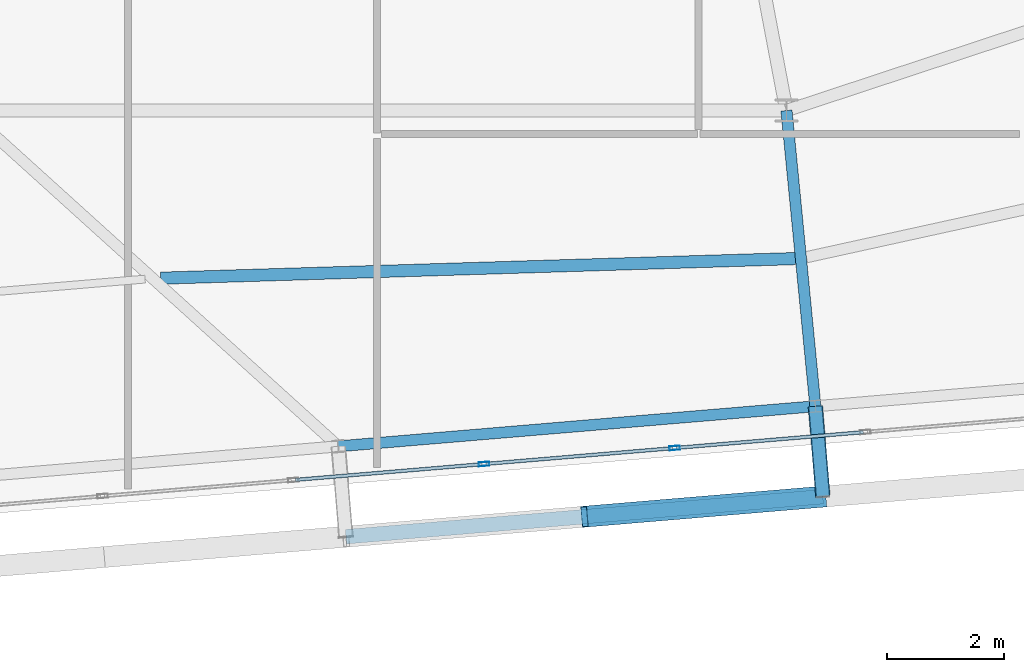
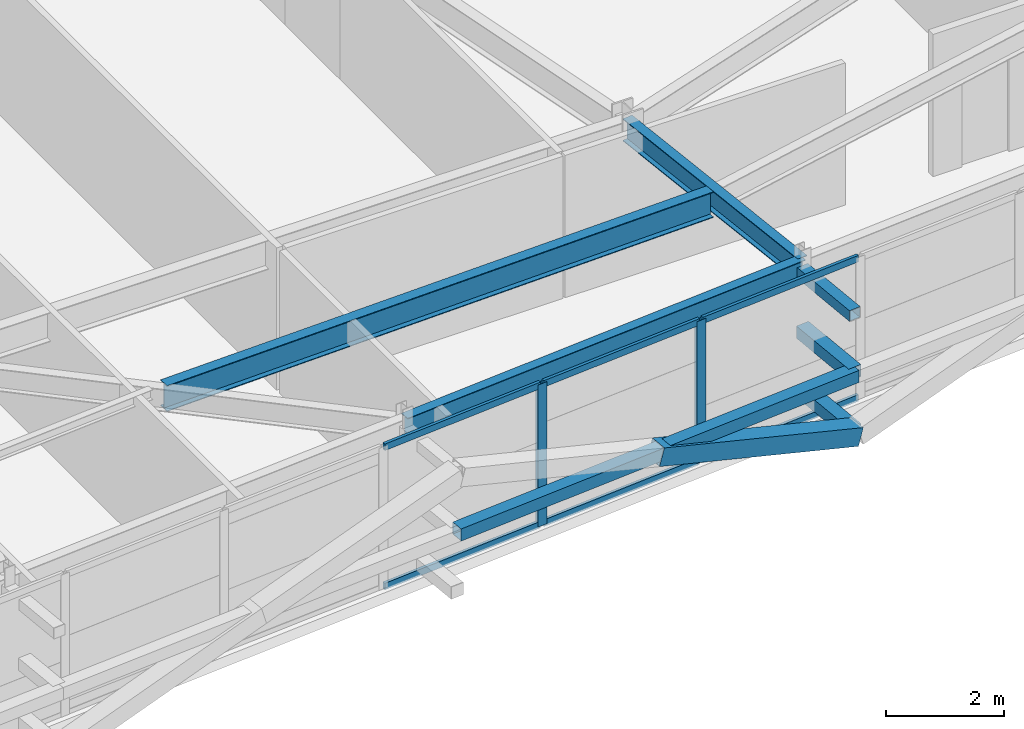
# One storey, part 12 of 46: 13 members, 3 beams, 1 element without a shape of its own.
"""IFC4 building model written with IfcOpenShell, lengths in metres."""

from ifc_helpers import new_model, si_unit, direction, frame, origin, origin_2d, place, context, subcontext, project, spatial, hollow_rectangle, i_section, extrude, source, transform, mapped, material, layer, layer_set, material_profile, profile_set, type_object, element, aggregate, save


model = new_model("IFC4")

# Units and contexts
model_context = context("Model", 3, precision=1e-05, world=origin(), true_north=direction((0.0, 1.0)))
body_context = subcontext(model_context, "Body", "Model", "MODEL_VIEW")
ifc_project = project(units=[si_unit("LENGTHUNIT", "METRE"), si_unit("AREAUNIT", "SQUARE_METRE"), si_unit("VOLUMEUNIT", "CUBIC_METRE"), si_unit("PLANEANGLEUNIT", "RADIAN"), si_unit("MASSUNIT", "GRAM", prefix="KILO")], contexts=[model_context])

# Site, building, storey
site_placement = place(None, origin())
site = spatial("IfcSite", under=ifc_project, at=site_placement, CompositionType="ELEMENT")
building_placement = place(site_placement, origin())
building = spatial("IfcBuilding", under=site, at=building_placement, Name="Taldren Reach Tower", CompositionType="ELEMENT")
storey_placement = place(building_placement, frame((0.0, 0.0, 194.60009765625)))
storey = spatial("IfcBuildingStorey", under=building, at=storey_placement, Name="L59", CompositionType="ELEMENT", Elevation=194.60009765625)

# Members
ifc_material_1 = material(Name="Steel Gr 350 (C350L0)", Category="steel")
ifc_material_profile_1 = material_profile(ifc_material_1, hollow_rectangle(XDim=0.25, YDim=0.25, WallThickness=0.010009765625, at=origin_2d()), Name="250x250x10.0SHS")
ifc_profile_set_1 = profile_set([ifc_material_profile_1], Name="Steel Gr 350 (C350L0)")
member_type_1 = type_object("IfcMemberType", Name="MB-POST250", PredefinedType="POST", material=ifc_profile_set_1)
shared_shape_1 = source(origin(), body_context, "Body", "SweptSolid", [
    extrude(hollow_rectangle(XDim=0.25, YDim=0.25, WallThickness=0.010009765625, at=origin_2d()), origin(), (0.0, 0.0, 1.0), 1.5498046875),
])
for number, where, z_axis, x_axis, name in (
    (1, (42.49365234375, 4.1474609375, 0.219970703125), (0.083645141657, -0.996495604746, 0.0), (0.996495604746, 0.083645141657, 0.0), "Exoskeleton base diaphragm tie strut B4-S4 L59"),
    (2, (42.49365234375, 4.1474609375, 1.434814453125), (0.083645141657, -0.996495604746, 0.0), (0.996495604746, 0.083645141657, 0.0), "Exoskeleton mid-tier diaphragm tie B4-S4 L59"),
):
    element("IfcMember", number, at=place(storey_placement, frame(where, z_axis=z_axis, x_axis=x_axis)), inside=storey, type_object=member_type_1, Name=name, PredefinedType="POST", context=body_context, shape_type="MappedRepresentation", body=[
        mapped(shared_shape_1, transform((0.0, 0.0, 0.0), scale=1.0)),
    ])

# Beams
ifc_material_2 = material(Name="Steel Gr 350 (350PLUS)", Category="steel")
ifc_material_profile_2 = material_profile(ifc_material_2, i_section(OverallWidth=0.18994140625, OverallDepth=0.4541015625, WebThickness=0.008544921875, FlangeThickness=0.0126953125, at=origin_2d()), Name="460UB67.1")
ifc_profile_set_2 = profile_set([ifc_material_profile_2], Name="Steel Gr 350 (350PLUS)")
beam_type_1 = type_object("IfcBeamType", Name="SP-UB460B", PredefinedType="SPANDREL", material=ifc_profile_set_2)
shared_shape_2 = source(origin(), body_context, "Body", "SweptSolid", [
    extrude(i_section(OverallWidth=0.18994140625, OverallDepth=0.4541015625, WebThickness=0.008544921875, FlangeThickness=0.0126953125, at=origin_2d()), origin(), (0.0, 0.0, 1.0), 8.18017578125),
])
beam_1_placement = place(storey_placement, frame((34.34228515625, 3.462890625, 2.702880859375), z_axis=(0.996492034688, 0.083687662192, 0.0), x_axis=(-0.083687662192, 0.996492034688, 0.0)))
element("IfcBeam", 3, at=beam_1_placement, inside=storey, type_object=beam_type_1, Name="Perimeter spandrel B4 S3-S4 L59", PredefinedType="SPANDREL", context=body_context, shape_type="MappedRepresentation", body=[
    mapped(shared_shape_2, transform((0.0, 0.0, 0.0), scale=1.0)),
])
ifc_material_profile_3 = material_profile(ifc_material_2, i_section(OverallWidth=0.19091796875, OverallDepth=0.4599609375, WebThickness=0.010009765625, FlangeThickness=0.01611328125, at=origin_2d()), Name="460UB82.1")
ifc_profile_set_3 = profile_set([ifc_material_profile_3], Name="Steel Gr 350 (350PLUS)")
beam_type_2 = type_object("IfcBeamType", Name="BM-UB460A", PredefinedType="BEAM", material=ifc_profile_set_3)
shared_shape_3 = source(origin(), body_context, "Body", "SweptSolid", [
    extrude(i_section(OverallWidth=0.19091796875, OverallDepth=0.4599609375, WebThickness=0.010009765625, FlangeThickness=0.01611328125, at=origin_2d()), origin(), (0.0, 0.0, 1.0), 5.07666015625),
])
beam_2_placement = place(storey_placement, frame((42.0, 9.199951171875, 2.699951171875), z_axis=(0.097241716644, -0.995260794236, 0.0), x_axis=(0.995260794236, 0.097241716644, 0.0)))
element("IfcBeam", 4, at=beam_2_placement, inside=storey, type_object=beam_type_2, Name="Primary floor girder B4-S4 L59", PredefinedType="BEAM", context=body_context, shape_type="MappedRepresentation", body=[
    mapped(shared_shape_3, transform((0.0, 0.0, 0.0), scale=1.0)),
])
ifc_material_profile_4 = material_profile(ifc_material_2, i_section(OverallWidth=0.208984375, OverallDepth=0.532958984375, WebThickness=0.01025390625, FlangeThickness=0.015625, at=origin_2d()), Name="530UB92.4")
ifc_profile_set_4 = profile_set([ifc_material_profile_4], Name="Steel Gr 350 (350PLUS)")
beam_type_3 = type_object("IfcBeamType", Name="BM-UB530A", PredefinedType="BEAM", material=ifc_profile_set_4)
shared_shape_4 = source(origin(), body_context, "Body", "SweptSolid", [
    extrude(i_section(OverallWidth=0.208984375, OverallDepth=0.532958984375, WebThickness=0.01025390625, FlangeThickness=0.015625, at=origin_2d()), origin(), (0.0, 0.0, 1.0), 10.847412109375),
])
beam_3_placement = place(storey_placement, frame((31.308837890625, 6.335693359375, 2.663330078125), z_axis=(0.999522428572, 0.030901695439, 0.0), x_axis=(-0.030901695439, 0.999522428572, 0.0)))
element("IfcBeam", 5, at=beam_3_placement, inside=storey, type_object=beam_type_3, Name="Secondary floor beam B4 J3 L59", PredefinedType="BEAM", context=body_context, shape_type="MappedRepresentation", body=[
    mapped(shared_shape_4, transform((0.0, 0.0, 0.0), scale=1.0)),
])

# Members
ifc_material_3 = material(Name="Steel Gr 450 (C450L0)", Category="steel")
ifc_material_profile_5 = material_profile(ifc_material_3, hollow_rectangle(XDim=0.219970703125, YDim=0.219970703125, WallThickness=0.00830078125, at=origin_2d()), Name="220x220x8.2SHS")
ifc_profile_set_5 = profile_set([ifc_material_profile_5], Name="Steel Gr 450 (C450L0)")
member_type_2 = type_object("IfcMemberType", Name="MB-TIE219", PredefinedType="STRUT", material=ifc_profile_set_5)
shared_shape_5 = source(origin(), body_context, "Body", "SweptSolid", [
    extrude(hollow_rectangle(XDim=0.219970703125, YDim=0.219970703125, WallThickness=0.00830078125, at=origin_2d()), origin(), (0.0, 0.0, 1.0), 1.5498046875),
])
member_1_placement = place(storey_placement, frame((42.49365234375, 4.1474609375, 2.64990234375), z_axis=(0.083645141657, -0.996495604746, 0.0), x_axis=(0.996495604746, 0.083645141657, 0.0)))
element("IfcMember", 6, at=member_1_placement, inside=storey, type_object=member_type_2, Name="Exoskeleton diaphragm tie strut B4-S4 L59", PredefinedType="STRUT", context=body_context, shape_type="MappedRepresentation", body=[
    mapped(shared_shape_5, transform((0.0, 0.0, 0.0), scale=1.0)),
])
shared_shape_6 = source(origin(), body_context, "Body", "SweptSolid", [
    extrude(hollow_rectangle(XDim=0.25, YDim=0.25, WallThickness=0.010009765625, at=origin_2d()), origin(), (0.0, 0.0, 1.0), 8.18017578125),
])
member_2_placement = place(storey_placement, frame((34.471923828125, 1.91845703125, 1.434814453125), z_axis=(0.996492034688, 0.083687662192, 0.0), x_axis=(-0.083687662192, 0.996492034688, 0.0)))
element("IfcMember", 7, at=member_2_placement, inside=storey, type_object=member_type_1, Name="Exoskeleton mid-height ring chord B4-S3 L59", PredefinedType="POST", context=body_context, shape_type="MappedRepresentation", body=[
    mapped(shared_shape_6, transform((0.0, 0.0, 0.0), scale=1.0)),
])
ifc_material_profile_6 = material_profile(ifc_material_3, hollow_rectangle(XDim=0.360107421875, YDim=0.360107421875, WallThickness=0.0126953125, at=origin_2d()), Name="360x360x12.7SHS")
ifc_profile_set_6 = profile_set([ifc_material_profile_6], Name="Steel Gr 450 (C450L0)")
member_type_3 = type_object("IfcMemberType", Name="MB-EXO356", PredefinedType="BRACE", material=ifc_profile_set_6)
shared_shape_7 = source(origin(), body_context, "Body", "SweptSolid", [
    extrude(hollow_rectangle(XDim=0.360107421875, YDim=0.360107421875, WallThickness=0.0126953125, at=origin_2d()), origin(), (0.0, 0.0, 1.0), 4.2666015625),
])
member_3_placement = place(storey_placement, frame((42.623291015625, 2.60302734375, 0.219970703125), z_axis=(-0.955244723646, -0.080223619417, 0.284730906006), x_axis=(0.083687662192, -0.996492034688, 0.0)))
element("IfcMember", 8, at=member_3_placement, inside=storey, type_object=member_type_3, Name="Exoskeleton Diagrid Brace B4-S3 L59", PredefinedType="BRACE", context=body_context, shape_type="MappedRepresentation", body=[
    mapped(shared_shape_7, transform((0.0, 0.0, 0.0), scale=1.0)),
])

# Curtain wall, members
ifc_material_4 = material(Name="Aluminium and Low-E Glass Unitised System", Category="aluminium")
ifc_layer = layer(ifc_material_4, 0.159912109375)
ifc_layer_set = layer_set([ifc_layer], Name="Aluminium and Low-E Glass Unitised System")
curtain_wall_type = type_object("IfcCurtainWallType", Name="CW-SYS-5", PredefinedType="NOTDEFINED", material=ifc_layer_set)
curtain_wall_placement = place(storey_placement, origin())
curtain_wall = element("IfcCurtainWall", 9, at=curtain_wall_placement, inside=storey, type_object=curtain_wall_type, Name="Unitised curtain wall CW-L59-S", PredefinedType="NOTDEFINED")
ifc_material_5 = material(Name="Anodised Aluminium 6063-T6", Category="aluminium")
ifc_material_profile_7 = material_profile(ifc_material_5, hollow_rectangle(XDim=0.070068359375, YDim=0.179931640625, WallThickness=0.00390625, at=origin_2d()), Name="ALU-180x70x4RHS")
ifc_profile_set_7 = profile_set([ifc_material_profile_7], Name="Anodised Aluminium 6063-T6")
member_type_4 = type_object("IfcMemberType", Name="CW-MUL-180", PredefinedType="MULLION", material=ifc_profile_set_7)
shared_shape_8 = source(origin(), body_context, "Body", "SweptSolid", [
    extrude(hollow_rectangle(XDim=0.070068359375, YDim=0.179931640625, WallThickness=0.00390625, at=origin_2d()), origin(), (0.0, 0.0, 1.0), 2.929931640625),
])
member_4_placement = place(storey_placement, frame((36.831787109375, 3.16015625, 0.0), z_axis=(0.0, 0.0, 1.0), x_axis=(-0.083677894865, 0.996492854922, 0.0)))
member_4 = element("IfcMember", 10, at=member_4_placement, type_object=member_type_4, Name="CW-5 mullion 7", PredefinedType="MULLION", context=body_context, shape_type="MappedRepresentation", body=[
    mapped(shared_shape_8, transform((0.0, 0.0, 0.0), scale=1.0)),
])
member_5_placement = place(storey_placement, frame((40.089599609375, 3.433837890625, 0.0), z_axis=(0.0, 0.0, 1.0), x_axis=(-0.083677894865, 0.996492854922, 0.0)))
member_5 = element("IfcMember", 11, at=member_5_placement, type_object=member_type_4, Name="CW-5 mullion 8", PredefinedType="MULLION", context=body_context, shape_type="MappedRepresentation", body=[
    mapped(shared_shape_8, transform((0.0, 0.0, 0.0), scale=1.0)),
])
ifc_material_profile_8 = material_profile(ifc_material_5, hollow_rectangle(XDim=0.06005859375, YDim=0.135009765625, WallThickness=0.00341796875, at=origin_2d()), Name="ALU-135x60x3.5RHS")
ifc_profile_set_8 = profile_set([ifc_material_profile_8], Name="Anodised Aluminium 6063-T6")
member_type_5 = type_object("IfcMemberType", Name="CW-TRN-150", PredefinedType="USERDEFINED", material=ifc_profile_set_8)
shared_shape_9 = source(origin(), body_context, "Body", "SweptSolid", [
    extrude(hollow_rectangle(XDim=0.06005859375, YDim=0.135009765625, WallThickness=0.00341796875, at=origin_2d()), origin(), (0.0, 0.0, 1.0), 3.19921875),
])
member_6_placement = place(storey_placement, frame((33.60888671875, 2.8896484375, 0.02978515625), z_axis=(0.996496109493, 0.083639128198, 0.0), x_axis=(-0.083639128198, 0.996496109493, 0.0)))
member_6 = element("IfcMember", 12, at=member_6_placement, type_object=member_type_5, Name="CW-5 transom 6.1", ObjectType="TRANSOM", PredefinedType="USERDEFINED", context=body_context, shape_type="MappedRepresentation", body=[
    mapped(shared_shape_9, transform((0.0, 0.0, 0.0), scale=1.0)),
])
member_7_placement = place(storey_placement, frame((33.60888671875, 2.8896484375, 2.89990234375), z_axis=(0.996496109493, 0.083639128198, 0.0), x_axis=(-0.083639128198, 0.996496109493, 0.0)))
member_7 = element("IfcMember", 13, at=member_7_placement, type_object=member_type_5, Name="CW-5 transom 6.2", ObjectType="TRANSOM", PredefinedType="USERDEFINED", context=body_context, shape_type="MappedRepresentation", body=[
    mapped(shared_shape_9, transform((0.0, 0.0, 0.0), scale=1.0)),
])
member_8_placement = place(storey_placement, frame((36.86669921875, 3.1630859375, 0.02978515625), z_axis=(0.996489746258, 0.083714906697, 0.0), x_axis=(-0.083714906697, 0.996489746258, 0.0)))
member_8 = element("IfcMember", 14, at=member_8_placement, type_object=member_type_5, Name="CW-5 transom 7.1", ObjectType="TRANSOM", PredefinedType="USERDEFINED", context=body_context, shape_type="MappedRepresentation", body=[
    mapped(shared_shape_9, transform((0.0, 0.0, 0.0), scale=1.0)),
])
member_9_placement = place(storey_placement, frame((36.86669921875, 3.1630859375, 2.89990234375), z_axis=(0.996489746258, 0.083714906697, 0.0), x_axis=(-0.083714906697, 0.996489746258, 0.0)))
member_9 = element("IfcMember", 15, at=member_9_placement, type_object=member_type_5, Name="CW-5 transom 7.2", ObjectType="TRANSOM", PredefinedType="USERDEFINED", context=body_context, shape_type="MappedRepresentation", body=[
    mapped(shared_shape_9, transform((0.0, 0.0, 0.0), scale=1.0)),
])
member_10_placement = place(storey_placement, frame((40.124267578125, 3.436767578125, 0.02978515625), z_axis=(0.996496109493, 0.083639128198, 0.0), x_axis=(-0.083639128198, 0.996496109493, 0.0)))
member_10 = element("IfcMember", 16, at=member_10_placement, type_object=member_type_5, Name="CW-5 transom 8.1", ObjectType="TRANSOM", PredefinedType="USERDEFINED", context=body_context, shape_type="MappedRepresentation", body=[
    mapped(shared_shape_9, transform((0.0, 0.0, 0.0), scale=1.0)),
])
member_11_placement = place(storey_placement, frame((40.124267578125, 3.436767578125, 2.89990234375), z_axis=(0.996496109493, 0.083639128198, 0.0), x_axis=(-0.083639128198, 0.996496109493, 0.0)))
member_11 = element("IfcMember", 17, at=member_11_placement, type_object=member_type_5, Name="CW-5 transom 8.2", ObjectType="TRANSOM", PredefinedType="USERDEFINED", context=body_context, shape_type="MappedRepresentation", body=[
    mapped(shared_shape_9, transform((0.0, 0.0, 0.0), scale=1.0)),
])
aggregate(curtain_wall, [member_4, member_5, member_6, member_7, member_8, member_9, member_10, member_11])

save(model, "model.ifc")
